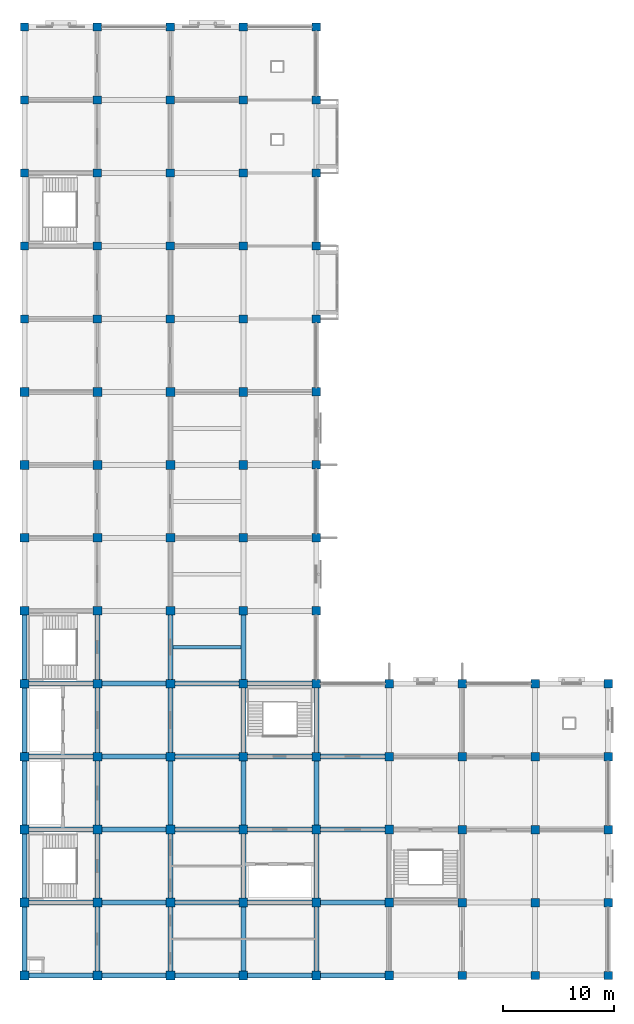
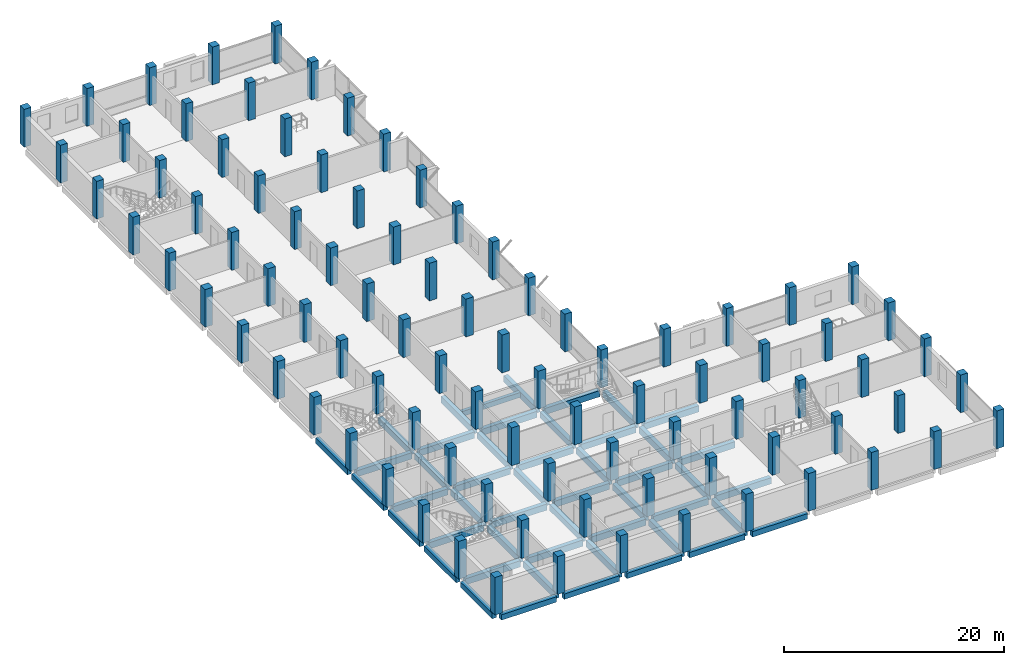
# One storey, part 1 of 18: 90 columns, 49 beams.
"""IFC4 building model written with IfcOpenShell, lengths in metres."""

from ifc_helpers import new_model, si_unit, direction, frame, origin, origin_2d, place, context, subcontext, project, spatial, rectangle, extrude, material, material_profile, profile_set, type_object, element, save


model = new_model("IFC4")

# Units and contexts
model_context = context("Model", 3, precision=1e-05, world=origin(), true_north=direction((0.0, 1.0)))
body_context = subcontext(model_context, "Body", "Model", "MODEL_VIEW")
ifc_project = project(units=[si_unit("LENGTHUNIT", "METRE"), si_unit("AREAUNIT", "SQUARE_METRE"), si_unit("VOLUMEUNIT", "CUBIC_METRE"), si_unit("PLANEANGLEUNIT", "RADIAN"), si_unit("MASSUNIT", "GRAM", prefix="KILO")], contexts=[model_context])

# Site, building, storey
site_placement = place(None, origin())
site = spatial("IfcSite", under=ifc_project, at=site_placement, CompositionType="ELEMENT")
building_placement = place(site_placement, origin())
building = spatial("IfcBuilding", under=site, at=building_placement, Name="Rusizi Kubbe Research Institute", CompositionType="ELEMENT")
storey_placement = place(building_placement, frame((0.0, 0.0, 22.800048828125)))
storey = spatial("IfcBuildingStorey", under=building, at=storey_placement, Name="L05", CompositionType="ELEMENT", Elevation=22.800048828125)

# Columns
ifc_material_1 = material(Name="Concrete C40/50", Category="concrete")
ifc_material_profile_1 = material_profile(ifc_material_1, rectangle(XDim=0.75, YDim=0.75, at=origin_2d()), Name="RC750x750")
ifc_profile_set_1 = profile_set([ifc_material_profile_1], Name="Concrete C40/50")
column_type_1 = type_object("IfcColumnType", Name="COL-750", PredefinedType="COLUMN", material=ifc_profile_set_1)
for number, where, z_axis, x_axis, name in (
    (1, (0.0, 59.39990234375, 0.0), (0.0, 0.0, 1.0), (1.0, 0.0, 0.0), "Column 1K L05"),
    (2, (0.0, 66.0, 0.0), (0.0, 0.0, 1.0), (1.0, 0.0, 0.0), "Column 1L L05"),
    (3, (0.0, 72.60009765625, 0.0), (0.0, 0.0, 1.0), (1.0, 0.0, 0.0), "Column 1M L05"),
    (4, (0.0, 79.199951171875, 0.0), (0.0, 0.0, 1.0), (1.0, 0.0, 0.0), "Column 1N L05"),
    (5, (0.0, 85.800048828125, 0.0), (0.0, 0.0, 1.0), (1.0, 0.0, 0.0), "Column 1P L05"),
    (6, (6.60009765625, 59.39990234375, 0.0), (0.0, 0.0, 1.0), (1.0, 0.0, 0.0), "Column 2K L05"),
    (7, (6.60009765625, 66.0, 0.0), (0.0, 0.0, 1.0), (1.0, 0.0, 0.0), "Column 2L L05"),
    (8, (6.60009765625, 72.60009765625, 0.0), (0.0, 0.0, 1.0), (1.0, 0.0, 0.0), "Column 2M L05"),
    (9, (6.60009765625, 79.199951171875, 0.0), (0.0, 0.0, 1.0), (1.0, 0.0, 0.0), "Column 2N L05"),
    (10, (6.60009765625, 85.800048828125, 0.0), (0.0, 0.0, 1.0), (1.0, 0.0, 0.0), "Column 2P L05"),
    (11, (13.199951171875, 59.39990234375, 0.0), (0.0, 0.0, 1.0), (1.0, 0.0, 0.0), "Column 3K L05"),
    (12, (13.199951171875, 66.0, 0.0), (0.0, 0.0, 1.0), (1.0, 0.0, 0.0), "Column 3L L05"),
    (13, (13.199951171875, 72.60009765625, 0.0), (0.0, 0.0, 1.0), (1.0, 0.0, 0.0), "Column 3M L05"),
    (14, (13.199951171875, 79.199951171875, 0.0), (0.0, 0.0, 1.0), (1.0, 0.0, 0.0), "Column 3N L05"),
    (15, (13.199951171875, 85.800048828125, 0.0), (0.0, 0.0, 1.0), (1.0, 0.0, 0.0), "Column 3P L05"),
    (16, (19.800048828125, 59.39990234375, 0.0), (0.0, 0.0, 1.0), (1.0, 0.0, 0.0), "Column 4K L05"),
    (17, (19.800048828125, 66.0, 0.0), (0.0, 0.0, 1.0), (1.0, 0.0, 0.0), "Column 4L L05"),
    (18, (19.800048828125, 72.60009765625, 0.0), (0.0, 0.0, 1.0), (1.0, 0.0, 0.0), "Column 4M L05"),
    (19, (19.800048828125, 79.199951171875, 0.0), (0.0, 0.0, 1.0), (1.0, 0.0, 0.0), "Column 4N L05"),
    (20, (19.800048828125, 85.800048828125, 0.0), (0.0, 0.0, 1.0), (1.0, 0.0, 0.0), "Column 4P L05"),
    (21, (26.39990234375, 26.39990234375, 0.0), (0.0, 0.0, 1.0), (1.0, 0.0, 0.0), "Column 5E L05"),
    (22, (26.39990234375, 33.0, 0.0), (0.0, 0.0, 1.0), (1.0, 0.0, 0.0), "Column 5F L05"),
    (23, (26.39990234375, 39.60009765625, 0.0), (0.0, 0.0, 1.0), (1.0, 0.0, 0.0), "Column 5G L05"),
    (24, (26.39990234375, 46.199951171875, 0.0), (0.0, 0.0, 1.0), (1.0, 0.0, 0.0), "Column 5H L05"),
    (25, (26.39990234375, 52.800048828125, 0.0), (0.0, 0.0, 1.0), (1.0, 0.0, 0.0), "Column 5J L05"),
    (26, (26.39990234375, 59.39990234375, 0.0), (0.0, 0.0, 1.0), (1.0, 0.0, 0.0), "Column 5K L05"),
    (27, (26.39990234375, 66.0, 0.0), (0.0, 0.0, 1.0), (1.0, 0.0, 0.0), "Column 5L L05"),
    (28, (26.39990234375, 72.60009765625, 0.0), (0.0, 0.0, 1.0), (1.0, 0.0, 0.0), "Column 5M L05"),
    (29, (26.39990234375, 79.199951171875, 0.0), (0.0, 0.0, 1.0), (1.0, 0.0, 0.0), "Column 5N L05"),
    (30, (26.39990234375, 85.800048828125, 0.0), (0.0, 0.0, 1.0), (1.0, 0.0, 0.0), "Column 5P L05"),
    (31, (33.0, 26.39990234375, 0.0), (0.0, 0.0, 1.0), (1.0, 0.0, 0.0), "Column 6E L05"),
    (32, (39.60009765625, 0.0, 0.0), (0.0, 0.0, 1.0), (1.0, 0.0, 0.0), "Column 7A L05"),
    (33, (39.60009765625, 6.60009765625, 0.0), (0.0, 0.0, 1.0), (1.0, 0.0, 0.0), "Column 7B L05"),
    (34, (39.60009765625, 13.199951171875, 0.0), (0.0, 0.0, 1.0), (1.0, 0.0, 0.0), "Column 7C L05"),
    (35, (39.60009765625, 19.800048828125, 0.0), (0.0, 0.0, 1.0), (1.0, 0.0, 0.0), "Column 7D L05"),
    (36, (39.60009765625, 26.39990234375, 0.0), (0.0, 0.0, 1.0), (1.0, 0.0, 0.0), "Column 7E L05"),
    (37, (46.199951171875, 0.0, 0.0), (0.0, 0.0, 1.0), (1.0, 0.0, 0.0), "Column 8A L05"),
    (38, (46.199951171875, 6.60009765625, 0.0), (0.0, 0.0, 1.0), (1.0, 0.0, 0.0), "Column 8B L05"),
    (39, (46.199951171875, 13.199951171875, 0.0), (0.0, 0.0, 1.0), (1.0, 0.0, 0.0), "Column 8C L05"),
    (40, (46.199951171875, 19.800048828125, 0.0), (0.0, 0.0, 1.0), (1.0, 0.0, 0.0), "Column 8D L05"),
    (41, (46.199951171875, 26.39990234375, 0.0), (0.0, 0.0, 1.0), (1.0, 0.0, 0.0), "Column 8E L05"),
    (42, (52.800048828125, 0.0, 0.0), (0.0, 0.0, 1.0), (1.0, 0.0, 0.0), "Column 9A L05"),
    (43, (52.800048828125, 6.60009765625, 0.0), (0.0, 0.0, 1.0), (1.0, 0.0, 0.0), "Column 9B L05"),
    (44, (52.800048828125, 13.199951171875, 0.0), (0.0, 0.0, 1.0), (1.0, 0.0, 0.0), "Column 9C L05"),
    (45, (52.800048828125, 19.800048828125, 0.0), (0.0, 0.0, 1.0), (1.0, 0.0, 0.0), "Column 9D L05"),
    (46, (52.800048828125, 26.39990234375, 0.0), (0.0, 0.0, 1.0), (1.0, 0.0, 0.0), "Column 9E L05"),
):
    element("IfcColumn", number, at=place(storey_placement, frame(where, z_axis=z_axis, x_axis=x_axis)), inside=storey, type_object=column_type_1, Name=name, PredefinedType="COLUMN", context=body_context, shape_type="SweptSolid", body=[
        extrude(rectangle(XDim=0.75, YDim=0.75, at=origin_2d()), origin(), (0.0, 0.0, 1.0), 4.199951171875),
    ])
ifc_material_2 = material(Name="Concrete C45/55", Category="concrete")
ifc_material_profile_2 = material_profile(ifc_material_2, rectangle(XDim=0.800048828125, YDim=0.800048828125, at=origin_2d()), Name="RC800x800")
ifc_profile_set_2 = profile_set([ifc_material_profile_2], Name="Concrete C45/55")
column_type_2 = type_object("IfcColumnType", Name="COL-800", PredefinedType="COLUMN", material=ifc_profile_set_2)
for number, where, z_axis, x_axis, name in (
    (47, (0.0, 0.0, 0.0), (0.0, 0.0, 1.0), (1.0, 0.0, 0.0), "Column 1A L05"),
    (48, (0.0, 6.60009765625, 0.0), (0.0, 0.0, 1.0), (1.0, 0.0, 0.0), "Column 1B L05"),
    (49, (0.0, 13.199951171875, 0.0), (0.0, 0.0, 1.0), (1.0, 0.0, 0.0), "Column 1C L05"),
    (50, (0.0, 19.800048828125, 0.0), (0.0, 0.0, 1.0), (1.0, 0.0, 0.0), "Column 1D L05"),
    (51, (0.0, 26.39990234375, 0.0), (0.0, 0.0, 1.0), (1.0, 0.0, 0.0), "Column 1E L05"),
    (52, (0.0, 33.0, 0.0), (0.0, 0.0, 1.0), (1.0, 0.0, 0.0), "Column 1F L05"),
    (53, (0.0, 39.60009765625, 0.0), (0.0, 0.0, 1.0), (1.0, 0.0, 0.0), "Column 1G L05"),
    (54, (0.0, 46.199951171875, 0.0), (0.0, 0.0, 1.0), (1.0, 0.0, 0.0), "Column 1H L05"),
    (55, (0.0, 52.800048828125, 0.0), (0.0, 0.0, 1.0), (1.0, 0.0, 0.0), "Column 1J L05"),
    (56, (6.60009765625, 0.0, 0.0), (0.0, 0.0, 1.0), (1.0, 0.0, 0.0), "Column 2A L05"),
    (57, (6.60009765625, 6.60009765625, 0.0), (0.0, 0.0, 1.0), (1.0, 0.0, 0.0), "Column 2B L05"),
    (58, (6.60009765625, 13.199951171875, 0.0), (0.0, 0.0, 1.0), (1.0, 0.0, 0.0), "Column 2C L05"),
    (59, (6.60009765625, 19.800048828125, 0.0), (0.0, 0.0, 1.0), (1.0, 0.0, 0.0), "Column 2D L05"),
    (60, (6.60009765625, 26.39990234375, 0.0), (0.0, 0.0, 1.0), (1.0, 0.0, 0.0), "Column 2E L05"),
    (61, (6.60009765625, 33.0, 0.0), (0.0, 0.0, 1.0), (1.0, 0.0, 0.0), "Column 2F L05"),
    (62, (6.60009765625, 39.60009765625, 0.0), (0.0, 0.0, 1.0), (1.0, 0.0, 0.0), "Column 2G L05"),
    (63, (6.60009765625, 46.199951171875, 0.0), (0.0, 0.0, 1.0), (1.0, 0.0, 0.0), "Column 2H L05"),
    (64, (6.60009765625, 52.800048828125, 0.0), (0.0, 0.0, 1.0), (1.0, 0.0, 0.0), "Column 2J L05"),
    (65, (13.199951171875, 0.0, 0.0), (0.0, 0.0, 1.0), (1.0, 0.0, 0.0), "Column 3A L05"),
    (66, (13.199951171875, 6.60009765625, 0.0), (0.0, 0.0, 1.0), (1.0, 0.0, 0.0), "Column 3B L05"),
    (67, (13.199951171875, 13.199951171875, 0.0), (0.0, 0.0, 1.0), (1.0, 0.0, 0.0), "Column 3C L05"),
    (68, (13.199951171875, 19.800048828125, 0.0), (0.0, 0.0, 1.0), (1.0, 0.0, 0.0), "Column 3D L05"),
    (69, (13.199951171875, 26.39990234375, 0.0), (0.0, 0.0, 1.0), (1.0, 0.0, 0.0), "Column 3E L05"),
    (70, (13.199951171875, 33.0, 0.0), (0.0, 0.0, 1.0), (1.0, 0.0, 0.0), "Column 3F L05"),
    (71, (13.199951171875, 39.60009765625, 0.0), (0.0, 0.0, 1.0), (1.0, 0.0, 0.0), "Column 3G L05"),
    (72, (13.199951171875, 46.199951171875, 0.0), (0.0, 0.0, 1.0), (1.0, 0.0, 0.0), "Column 3H L05"),
    (73, (13.199951171875, 52.800048828125, 0.0), (0.0, 0.0, 1.0), (1.0, 0.0, 0.0), "Column 3J L05"),
    (74, (19.800048828125, 0.0, 0.0), (0.0, 0.0, 1.0), (1.0, 0.0, 0.0), "Column 4A L05"),
    (75, (19.800048828125, 6.60009765625, 0.0), (0.0, 0.0, 1.0), (1.0, 0.0, 0.0), "Column 4B L05"),
    (76, (19.800048828125, 13.199951171875, 0.0), (0.0, 0.0, 1.0), (1.0, 0.0, 0.0), "Column 4C L05"),
    (77, (19.800048828125, 19.800048828125, 0.0), (0.0, 0.0, 1.0), (1.0, 0.0, 0.0), "Column 4D L05"),
    (78, (19.800048828125, 26.39990234375, 0.0), (0.0, 0.0, 1.0), (1.0, 0.0, 0.0), "Column 4E L05"),
    (79, (19.800048828125, 33.0, 0.0), (0.0, 0.0, 1.0), (1.0, 0.0, 0.0), "Column 4F L05"),
    (80, (19.800048828125, 39.60009765625, 0.0), (0.0, 0.0, 1.0), (1.0, 0.0, 0.0), "Column 4G L05"),
    (81, (19.800048828125, 46.199951171875, 0.0), (0.0, 0.0, 1.0), (1.0, 0.0, 0.0), "Column 4H L05"),
    (82, (19.800048828125, 52.800048828125, 0.0), (0.0, 0.0, 1.0), (1.0, 0.0, 0.0), "Column 4J L05"),
    (83, (26.39990234375, 0.0, 0.0), (0.0, 0.0, 1.0), (1.0, 0.0, 0.0), "Column 5A L05"),
    (84, (26.39990234375, 6.60009765625, 0.0), (0.0, 0.0, 1.0), (1.0, 0.0, 0.0), "Column 5B L05"),
    (85, (26.39990234375, 13.199951171875, 0.0), (0.0, 0.0, 1.0), (1.0, 0.0, 0.0), "Column 5C L05"),
    (86, (26.39990234375, 19.800048828125, 0.0), (0.0, 0.0, 1.0), (1.0, 0.0, 0.0), "Column 5D L05"),
    (87, (33.0, 0.0, 0.0), (0.0, 0.0, 1.0), (1.0, 0.0, 0.0), "Column 6A L05"),
    (88, (33.0, 6.60009765625, 0.0), (0.0, 0.0, 1.0), (1.0, 0.0, 0.0), "Column 6B L05"),
    (89, (33.0, 13.199951171875, 0.0), (0.0, 0.0, 1.0), (1.0, 0.0, 0.0), "Column 6C L05"),
    (90, (33.0, 19.800048828125, 0.0), (0.0, 0.0, 1.0), (1.0, 0.0, 0.0), "Column 6D L05"),
):
    element("IfcColumn", number, at=place(storey_placement, frame(where, z_axis=z_axis, x_axis=x_axis)), inside=storey, type_object=column_type_2, Name=name, PredefinedType="COLUMN", context=body_context, shape_type="SweptSolid", body=[
        extrude(rectangle(XDim=0.800048828125, YDim=0.800048828125, at=origin_2d()), origin(), (0.0, 0.0, 1.0), 4.199951171875),
    ])

# Beams
ifc_material_3 = material(Name="Concrete C40/50", Category="concrete")
ifc_material_profile_3 = material_profile(ifc_material_3, rectangle(XDim=0.35009765625, YDim=0.550048828125, at=origin_2d()), Name="RC350x550")
ifc_profile_set_3 = profile_set([ifc_material_profile_3], Name="Concrete C40/50")
beam_type_1 = type_object("IfcBeamType", Name="BM-RC350x550", PredefinedType="JOIST", material=ifc_profile_set_3)
beam_1_placement = place(storey_placement, frame((13.425048828125, 29.699951171875, -0.614990234375), z_axis=(1.0, 0.0, 0.0), x_axis=(0.0, 1.0, 0.0)))
element("IfcBeam", 91, at=beam_1_placement, inside=storey, type_object=beam_type_1, Name="Lab Stiffener Joist L05 (2,4)", PredefinedType="JOIST", context=body_context, shape_type="SweptSolid", body=[
    extrude(rectangle(XDim=0.35009765625, YDim=0.550048828125, at=origin_2d()), origin(), (0.0, 0.0, 1.0), 6.14990234375),
])
ifc_material_4 = material(Name="Concrete C40/50", Category="concrete")
ifc_material_profile_4 = material_profile(ifc_material_4, rectangle(XDim=0.449951171875, YDim=0.60009765625, at=origin_2d()), Name="RC450x600")
ifc_profile_set_4 = profile_set([ifc_material_profile_4], Name="Concrete C40/50")
beam_type_2 = type_object("IfcBeamType", Name="BM-RC450x600", PredefinedType="SPANDREL", material=ifc_profile_set_4)
for number, where, z_axis, x_axis, name in (
    (92, (0.39990234375, 0.0, -0.64013671875), (1.0, 0.0, 0.0), (0.0, 1.0, 0.0), "Grid Beam H L05 (0,0)"),
    (93, (7.0, 0.0, -0.64013671875), (1.0, 0.0, 0.0), (0.0, 1.0, 0.0), "Grid Beam H L05 (1,0)"),
):
    element("IfcBeam", number, at=place(storey_placement, frame(where, z_axis=z_axis, x_axis=x_axis)), inside=storey, type_object=beam_type_2, Name=name, PredefinedType="SPANDREL", context=body_context, shape_type="SweptSolid", body=[
        extrude(rectangle(XDim=0.449951171875, YDim=0.60009765625, at=origin_2d()), origin(), (0.0, 0.0, 1.0), 5.800048828125),
    ])
beam_2_placement = place(storey_placement, frame((13.60009765625, 0.0, -0.64013671875), z_axis=(1.0, 0.0, 0.0), x_axis=(0.0, 1.0, 0.0)))
element("IfcBeam", 94, at=beam_2_placement, inside=storey, type_object=beam_type_2, Name="Grid Beam H L05 (2,0)", PredefinedType="SPANDREL", context=body_context, shape_type="SweptSolid", body=[
    extrude(rectangle(XDim=0.449951171875, YDim=0.60009765625, at=origin_2d()), origin(), (0.0, 0.0, 1.0), 5.7998046875),
])
for number, where, z_axis, x_axis, name in (
    (95, (20.199951171875, 0.0, -0.64013671875), (1.0, 0.0, 0.0), (0.0, 1.0, 0.0), "Grid Beam H L05 (3,0)"),
    (96, (26.800048828125, 0.0, -0.64013671875), (1.0, 0.0, 0.0), (0.0, 1.0, 0.0), "Grid Beam H L05 (4,0)"),
    (97, (0.0, 0.39990234375, -0.64013671875), (0.0, 1.0, 0.0), (-1.0, 0.0, 0.0), "Grid Beam V L05 (0,0)"),
    (98, (0.0, 7.0, -0.64013671875), (0.0, 1.0, 0.0), (-1.0, 0.0, 0.0), "Grid Beam V L05 (0,1)"),
):
    element("IfcBeam", number, at=place(storey_placement, frame(where, z_axis=z_axis, x_axis=x_axis)), inside=storey, type_object=beam_type_2, Name=name, PredefinedType="SPANDREL", context=body_context, shape_type="SweptSolid", body=[
        extrude(rectangle(XDim=0.449951171875, YDim=0.60009765625, at=origin_2d()), origin(), (0.0, 0.0, 1.0), 5.800048828125),
    ])
beam_3_placement = place(storey_placement, frame((0.0, 13.60009765625, -0.64013671875), z_axis=(0.0, 1.0, 0.0), x_axis=(-1.0, 0.0, 0.0)))
element("IfcBeam", 99, at=beam_3_placement, inside=storey, type_object=beam_type_2, Name="Grid Beam V L05 (0,2)", PredefinedType="SPANDREL", context=body_context, shape_type="SweptSolid", body=[
    extrude(rectangle(XDim=0.449951171875, YDim=0.60009765625, at=origin_2d()), origin(), (0.0, 0.0, 1.0), 5.7998046875),
])
for number, where, z_axis, x_axis, name in (
    (100, (0.0, 20.199951171875, -0.64013671875), (0.0, 1.0, 0.0), (-1.0, 0.0, 0.0), "Grid Beam V L05 (0,3)"),
    (101, (0.0, 26.800048828125, -0.64013671875), (0.0, 1.0, 0.0), (-1.0, 0.0, 0.0), "Grid Beam V L05 (0,4)"),
):
    element("IfcBeam", number, at=place(storey_placement, frame(where, z_axis=z_axis, x_axis=x_axis)), inside=storey, type_object=beam_type_2, Name=name, PredefinedType="SPANDREL", context=body_context, shape_type="SweptSolid", body=[
        extrude(rectangle(XDim=0.449951171875, YDim=0.60009765625, at=origin_2d()), origin(), (0.0, 0.0, 1.0), 5.800048828125),
    ])
ifc_material_5 = material(Name="Concrete C40/50", Category="concrete")
ifc_material_profile_5 = material_profile(ifc_material_5, rectangle(XDim=0.449951171875, YDim=0.699951171875, at=origin_2d()), Name="RC450x700B")
ifc_profile_set_5 = profile_set([ifc_material_profile_5], Name="Concrete C40/50")
beam_type_3 = type_object("IfcBeamType", Name="BM-RC450x700", PredefinedType="BEAM", material=ifc_profile_set_5)
for number, where, z_axis, x_axis, name in (
    (102, (0.39990234375, 6.60009765625, -0.68994140625), (1.0, 0.0, 0.0), (0.0, 1.0, 0.0), "Grid Beam H L05 (0,1)"),
    (103, (0.39990234375, 13.199951171875, -0.68994140625), (1.0, 0.0, 0.0), (0.0, 1.0, 0.0), "Grid Beam H L05 (0,2)"),
    (104, (0.39990234375, 19.800048828125, -0.68994140625), (1.0, 0.0, 0.0), (0.0, 1.0, 0.0), "Grid Beam H L05 (0,3)"),
    (105, (0.39990234375, 26.39990234375, -0.68994140625), (1.0, 0.0, 0.0), (0.0, 1.0, 0.0), "Grid Beam H L05 (0,4)"),
    (106, (7.0, 6.60009765625, -0.68994140625), (1.0, 0.0, 0.0), (0.0, 1.0, 0.0), "Grid Beam H L05 (1,1)"),
    (107, (7.0, 13.199951171875, -0.68994140625), (1.0, 0.0, 0.0), (0.0, 1.0, 0.0), "Grid Beam H L05 (1,2)"),
    (108, (7.0, 19.800048828125, -0.68994140625), (1.0, 0.0, 0.0), (0.0, 1.0, 0.0), "Grid Beam H L05 (1,3)"),
    (109, (7.0, 26.39990234375, -0.68994140625), (1.0, 0.0, 0.0), (0.0, 1.0, 0.0), "Grid Beam H L05 (1,4)"),
):
    element("IfcBeam", number, at=place(storey_placement, frame(where, z_axis=z_axis, x_axis=x_axis)), inside=storey, type_object=beam_type_3, Name=name, PredefinedType="BEAM", context=body_context, shape_type="SweptSolid", body=[
        extrude(rectangle(XDim=0.449951171875, YDim=0.699951171875, at=origin_2d()), origin(), (0.0, 0.0, 1.0), 5.800048828125),
    ])
for number, where, z_axis, x_axis, name in (
    (110, (13.60009765625, 6.60009765625, -0.68994140625), (1.0, 0.0, 0.0), (0.0, 1.0, 0.0), "Grid Beam H L05 (2,1)"),
    (111, (13.60009765625, 13.199951171875, -0.68994140625), (1.0, 0.0, 0.0), (0.0, 1.0, 0.0), "Grid Beam H L05 (2,2)"),
    (112, (13.60009765625, 19.800048828125, -0.68994140625), (1.0, 0.0, 0.0), (0.0, 1.0, 0.0), "Grid Beam H L05 (2,3)"),
    (113, (13.60009765625, 26.39990234375, -0.68994140625), (1.0, 0.0, 0.0), (0.0, 1.0, 0.0), "Grid Beam H L05 (2,4)"),
):
    element("IfcBeam", number, at=place(storey_placement, frame(where, z_axis=z_axis, x_axis=x_axis)), inside=storey, type_object=beam_type_3, Name=name, PredefinedType="BEAM", context=body_context, shape_type="SweptSolid", body=[
        extrude(rectangle(XDim=0.449951171875, YDim=0.699951171875, at=origin_2d()), origin(), (0.0, 0.0, 1.0), 5.7998046875),
    ])
for number, where, z_axis, x_axis, name in (
    (114, (20.199951171875, 6.60009765625, -0.68994140625), (1.0, 0.0, 0.0), (0.0, 1.0, 0.0), "Grid Beam H L05 (3,1)"),
    (115, (20.199951171875, 13.199951171875, -0.68994140625), (1.0, 0.0, 0.0), (0.0, 1.0, 0.0), "Grid Beam H L05 (3,2)"),
    (116, (20.199951171875, 19.800048828125, -0.68994140625), (1.0, 0.0, 0.0), (0.0, 1.0, 0.0), "Grid Beam H L05 (3,3)"),
):
    element("IfcBeam", number, at=place(storey_placement, frame(where, z_axis=z_axis, x_axis=x_axis)), inside=storey, type_object=beam_type_3, Name=name, PredefinedType="BEAM", context=body_context, shape_type="SweptSolid", body=[
        extrude(rectangle(XDim=0.449951171875, YDim=0.699951171875, at=origin_2d()), origin(), (0.0, 0.0, 1.0), 5.800048828125),
    ])
beam_4_placement = place(storey_placement, frame((20.199951171875, 26.39990234375, -0.68994140625), z_axis=(1.0, 0.0, 0.0), x_axis=(0.0, 1.0, 0.0)))
element("IfcBeam", 117, at=beam_4_placement, inside=storey, type_object=beam_type_3, Name="Grid Beam H L05 (3,4)", PredefinedType="BEAM", context=body_context, shape_type="SweptSolid", body=[
    extrude(rectangle(XDim=0.449951171875, YDim=0.699951171875, at=origin_2d()), origin(), (0.0, 0.0, 1.0), 5.824951171875),
])
for number, where, z_axis, x_axis, name in (
    (118, (26.800048828125, 6.60009765625, -0.68994140625), (1.0, 0.0, 0.0), (0.0, 1.0, 0.0), "Grid Beam H L05 (4,1)"),
    (119, (26.800048828125, 13.199951171875, -0.68994140625), (1.0, 0.0, 0.0), (0.0, 1.0, 0.0), "Grid Beam H L05 (4,2)"),
    (120, (26.800048828125, 19.800048828125, -0.68994140625), (1.0, 0.0, 0.0), (0.0, 1.0, 0.0), "Grid Beam H L05 (4,3)"),
    (121, (6.60009765625, 0.39990234375, -0.68994140625), (0.0, 1.0, 0.0), (-1.0, 0.0, 0.0), "Grid Beam V L05 (1,0)"),
    (122, (6.60009765625, 7.0, -0.68994140625), (0.0, 1.0, 0.0), (-1.0, 0.0, 0.0), "Grid Beam V L05 (1,1)"),
):
    element("IfcBeam", number, at=place(storey_placement, frame(where, z_axis=z_axis, x_axis=x_axis)), inside=storey, type_object=beam_type_3, Name=name, PredefinedType="BEAM", context=body_context, shape_type="SweptSolid", body=[
        extrude(rectangle(XDim=0.449951171875, YDim=0.699951171875, at=origin_2d()), origin(), (0.0, 0.0, 1.0), 5.800048828125),
    ])
beam_5_placement = place(storey_placement, frame((6.60009765625, 13.60009765625, -0.68994140625), z_axis=(0.0, 1.0, 0.0), x_axis=(-1.0, 0.0, 0.0)))
element("IfcBeam", 123, at=beam_5_placement, inside=storey, type_object=beam_type_3, Name="Grid Beam V L05 (1,2)", PredefinedType="BEAM", context=body_context, shape_type="SweptSolid", body=[
    extrude(rectangle(XDim=0.449951171875, YDim=0.699951171875, at=origin_2d()), origin(), (0.0, 0.0, 1.0), 5.7998046875),
])
for number, where, z_axis, x_axis, name in (
    (124, (6.60009765625, 20.199951171875, -0.68994140625), (0.0, 1.0, 0.0), (-1.0, 0.0, 0.0), "Grid Beam V L05 (1,3)"),
    (125, (6.60009765625, 26.800048828125, -0.68994140625), (0.0, 1.0, 0.0), (-1.0, 0.0, 0.0), "Grid Beam V L05 (1,4)"),
    (126, (13.199951171875, 0.39990234375, -0.68994140625), (0.0, 1.0, 0.0), (-1.0, 0.0, 0.0), "Grid Beam V L05 (2,0)"),
    (127, (13.199951171875, 7.0, -0.68994140625), (0.0, 1.0, 0.0), (-1.0, 0.0, 0.0), "Grid Beam V L05 (2,1)"),
):
    element("IfcBeam", number, at=place(storey_placement, frame(where, z_axis=z_axis, x_axis=x_axis)), inside=storey, type_object=beam_type_3, Name=name, PredefinedType="BEAM", context=body_context, shape_type="SweptSolid", body=[
        extrude(rectangle(XDim=0.449951171875, YDim=0.699951171875, at=origin_2d()), origin(), (0.0, 0.0, 1.0), 5.800048828125),
    ])
beam_6_placement = place(storey_placement, frame((13.199951171875, 13.60009765625, -0.68994140625), z_axis=(0.0, 1.0, 0.0), x_axis=(-1.0, 0.0, 0.0)))
element("IfcBeam", 128, at=beam_6_placement, inside=storey, type_object=beam_type_3, Name="Grid Beam V L05 (2,2)", PredefinedType="BEAM", context=body_context, shape_type="SweptSolid", body=[
    extrude(rectangle(XDim=0.449951171875, YDim=0.699951171875, at=origin_2d()), origin(), (0.0, 0.0, 1.0), 5.7998046875),
])
for number, where, z_axis, x_axis, name in (
    (129, (13.199951171875, 20.199951171875, -0.68994140625), (0.0, 1.0, 0.0), (-1.0, 0.0, 0.0), "Grid Beam V L05 (2,3)"),
    (130, (13.199951171875, 26.800048828125, -0.68994140625), (0.0, 1.0, 0.0), (-1.0, 0.0, 0.0), "Grid Beam V L05 (2,4)"),
    (131, (19.800048828125, 0.39990234375, -0.68994140625), (0.0, 1.0, 0.0), (-1.0, 0.0, 0.0), "Grid Beam V L05 (3,0)"),
    (132, (19.800048828125, 7.0, -0.68994140625), (0.0, 1.0, 0.0), (-1.0, 0.0, 0.0), "Grid Beam V L05 (3,1)"),
):
    element("IfcBeam", number, at=place(storey_placement, frame(where, z_axis=z_axis, x_axis=x_axis)), inside=storey, type_object=beam_type_3, Name=name, PredefinedType="BEAM", context=body_context, shape_type="SweptSolid", body=[
        extrude(rectangle(XDim=0.449951171875, YDim=0.699951171875, at=origin_2d()), origin(), (0.0, 0.0, 1.0), 5.800048828125),
    ])
beam_7_placement = place(storey_placement, frame((19.800048828125, 13.60009765625, -0.68994140625), z_axis=(0.0, 1.0, 0.0), x_axis=(-1.0, 0.0, 0.0)))
element("IfcBeam", 133, at=beam_7_placement, inside=storey, type_object=beam_type_3, Name="Grid Beam V L05 (3,2)", PredefinedType="BEAM", context=body_context, shape_type="SweptSolid", body=[
    extrude(rectangle(XDim=0.449951171875, YDim=0.699951171875, at=origin_2d()), origin(), (0.0, 0.0, 1.0), 5.7998046875),
])
for number, where, z_axis, x_axis, name in (
    (134, (19.800048828125, 20.199951171875, -0.68994140625), (0.0, 1.0, 0.0), (-1.0, 0.0, 0.0), "Grid Beam V L05 (3,3)"),
    (135, (19.800048828125, 26.800048828125, -0.68994140625), (0.0, 1.0, 0.0), (-1.0, 0.0, 0.0), "Grid Beam V L05 (3,4)"),
    (136, (26.39990234375, 0.39990234375, -0.68994140625), (0.0, 1.0, 0.0), (-1.0, 0.0, 0.0), "Grid Beam V L05 (4,0)"),
    (137, (26.39990234375, 7.0, -0.68994140625), (0.0, 1.0, 0.0), (-1.0, 0.0, 0.0), "Grid Beam V L05 (4,1)"),
):
    element("IfcBeam", number, at=place(storey_placement, frame(where, z_axis=z_axis, x_axis=x_axis)), inside=storey, type_object=beam_type_3, Name=name, PredefinedType="BEAM", context=body_context, shape_type="SweptSolid", body=[
        extrude(rectangle(XDim=0.449951171875, YDim=0.699951171875, at=origin_2d()), origin(), (0.0, 0.0, 1.0), 5.800048828125),
    ])
beam_8_placement = place(storey_placement, frame((26.39990234375, 13.60009765625, -0.68994140625), z_axis=(0.0, 1.0, 0.0), x_axis=(-1.0, 0.0, 0.0)))
element("IfcBeam", 138, at=beam_8_placement, inside=storey, type_object=beam_type_3, Name="Grid Beam V L05 (4,2)", PredefinedType="BEAM", context=body_context, shape_type="SweptSolid", body=[
    extrude(rectangle(XDim=0.449951171875, YDim=0.699951171875, at=origin_2d()), origin(), (0.0, 0.0, 1.0), 5.7998046875),
])
beam_9_placement = place(storey_placement, frame((26.39990234375, 20.199951171875, -0.68994140625), z_axis=(0.0, 1.0, 0.0), x_axis=(-1.0, 0.0, 0.0)))
element("IfcBeam", 139, at=beam_9_placement, inside=storey, type_object=beam_type_3, Name="Grid Beam V L05 (4,3)", PredefinedType="BEAM", context=body_context, shape_type="SweptSolid", body=[
    extrude(rectangle(XDim=0.449951171875, YDim=0.699951171875, at=origin_2d()), origin(), (0.0, 0.0, 1.0), 5.824951171875),
])

save(model, "model.ifc")
